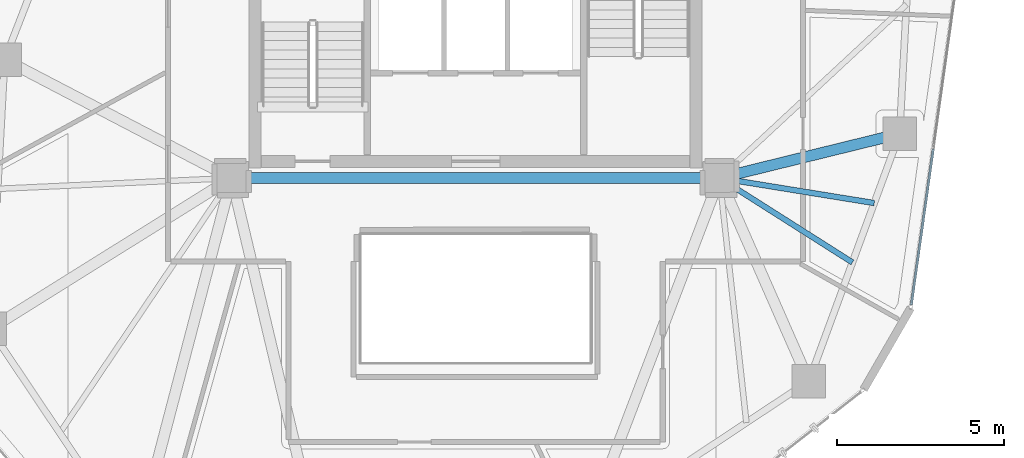
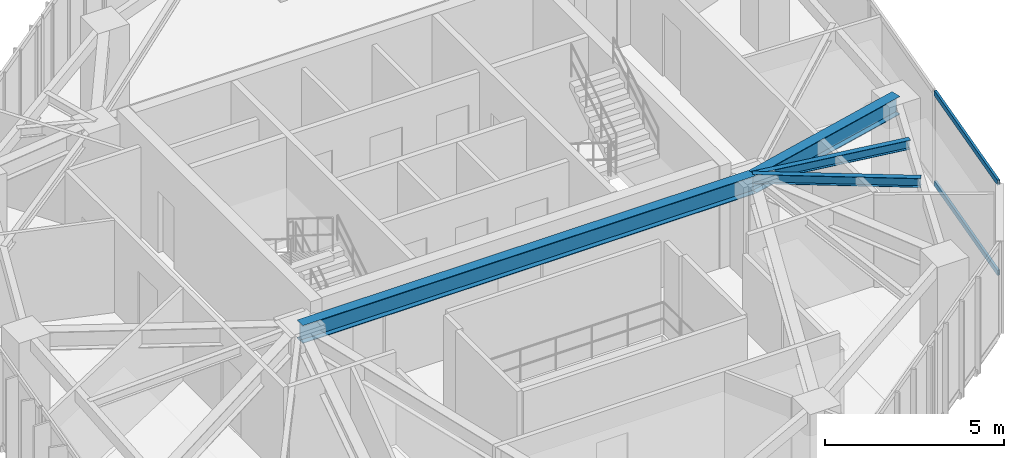
# One storey, part 10 of 21: 4 beams, 2 members, 1 element without a shape of its own.
"""IFC4 building model written with IfcOpenShell, lengths in metres."""

from ifc_helpers import new_model, si_unit, direction, frame, origin, origin_2d, place, context, subcontext, project, spatial, hollow_rectangle, i_section, extrude, source, transform, mapped, material, layer, layer_set, material_profile, profile_set, type_object, type_shapes, element, aggregate, save


model = new_model("IFC4")

# Units and contexts
model_context = context("Model", 3, precision=1e-05, world=origin(), true_north=direction((0.0, 1.0)))
body_context = subcontext(model_context, "Body", "Model", "MODEL_VIEW")
ifc_project = project(units=[si_unit("LENGTHUNIT", "METRE"), si_unit("AREAUNIT", "SQUARE_METRE"), si_unit("VOLUMEUNIT", "CUBIC_METRE"), si_unit("PLANEANGLEUNIT", "RADIAN"), si_unit("MASSUNIT", "GRAM", prefix="KILO")], contexts=[model_context])

# Site, building, storey
site_placement = place(None, origin())
site = spatial("IfcSite", under=ifc_project, at=site_placement, CompositionType="ELEMENT")
building_placement = place(site_placement, origin())
building = spatial("IfcBuilding", under=site, at=building_placement, Name="Talar Marvaseh", CompositionType="ELEMENT")
storey_placement = place(building_placement, frame((0.0, 0.0, 232.699951171875)))
storey = spatial("IfcBuildingStorey", under=building, at=storey_placement, Name="L61", CompositionType="ELEMENT", Elevation=232.699951171875)

# Beams
ifc_material_1 = material(Name="Steel S355", Category="steel")
ifc_material_profile_1 = material_profile(ifc_material_1, i_section(OverallWidth=0.324951171875, OverallDepth=0.615966796875, WebThickness=0.013916015625, FlangeThickness=0.021484375, at=origin_2d()), Name="W610x174")
ifc_profile_set_1 = profile_set([ifc_material_profile_1], Name="Steel S355")
beam_type_1 = type_object("IfcBeamType", Name="Zone 3 Radial Floor Girder W610x174", PredefinedType="BEAM", material=ifc_profile_set_1)
beam_1_placement = place(storey_placement, frame((18.699951171875, 25.5, 2.842041015625), z_axis=(1.0, 0.0, 0.0), x_axis=(0.0, 1.0, 0.0)))
element("IfcBeam", 1, at=beam_1_placement, inside=storey, type_object=beam_type_1, Name="L61 Zone 3 Radial Floor Girder W610x174", PredefinedType="BEAM", context=body_context, shape_type="SweptSolid", body=[
    extrude(i_section(OverallWidth=0.324951171875, OverallDepth=0.615966796875, WebThickness=0.013916015625, FlangeThickness=0.021484375, at=origin_2d()), origin(), (0.0, 0.0, 1.0), 14.60009765625),
])
beam_2_placement = place(storey_placement, frame((38.68896484375, 26.823974609375, 2.842041015625), z_axis=(-0.971120507527, -0.238589521692, 0.0), x_axis=(0.238589521692, -0.971120507527, 0.0)))
element("IfcBeam", 2, at=beam_2_placement, inside=storey, type_object=beam_type_1, Name="L61 Zone 3 Radial Floor Girder W610x174", PredefinedType="BEAM", context=body_context, shape_type="SweptSolid", body=[
    extrude(i_section(OverallWidth=0.324951171875, OverallDepth=0.615966796875, WebThickness=0.013916015625, FlangeThickness=0.021484375, at=origin_2d()), origin(), (0.0, 0.0, 1.0), 5.549072265625),
])
ifc_material_profile_2 = material_profile(ifc_material_1, i_section(OverallWidth=0.166015625, OverallDepth=0.31298828125, WebThickness=0.006591796875, FlangeThickness=0.01123046875, at=origin_2d()), Name="W310x45")
ifc_profile_set_2 = profile_set([ifc_material_profile_2], Name="Steel S355")
beam_type_2 = type_object("IfcBeamType", Name="Zone 3 Secondary Floor Joist W310x45", PredefinedType="JOIST", material=ifc_profile_set_2)
beam_3_placement = place(storey_placement, frame((37.927978515625, 24.751708984375, 2.99365234375), z_axis=(-0.987178985963, 0.159617197298, 0.0), x_axis=(-0.159617197298, -0.987178985963, 0.0)))
element("IfcBeam", 3, at=beam_3_placement, inside=storey, type_object=beam_type_2, Name="L61 Zone 3 Secondary Floor Joist W310x45", PredefinedType="JOIST", context=body_context, shape_type="SweptSolid", body=[
    extrude(i_section(OverallWidth=0.166015625, OverallDepth=0.31298828125, WebThickness=0.006591796875, FlangeThickness=0.01123046875, at=origin_2d()), origin(), (0.0, 0.0, 1.0), 4.68798828125),
])
beam_4_placement = place(storey_placement, frame((37.275634765625, 22.9755859375, 2.99365234375), z_axis=(-0.844190472961, 0.536043324147, 0.0), x_axis=(-0.536043324147, -0.844190472961, 0.0)))
element("IfcBeam", 4, at=beam_4_placement, inside=storey, type_object=beam_type_2, Name="L61 Zone 3 Secondary Floor Joist W310x45", PredefinedType="JOIST", context=body_context, shape_type="SweptSolid", body=[
    extrude(i_section(OverallWidth=0.166015625, OverallDepth=0.31298828125, WebThickness=0.006591796875, FlangeThickness=0.01123046875, at=origin_2d()), origin(), (0.0, 0.0, 1.0), 4.709228515625),
])

# Curtain wall, members
ifc_material_2 = material(Name="Architectural Aluminium", Category="aluminium")
ifc_layer = layer(ifc_material_2, 0.18994140625)
ifc_layer_set = layer_set([ifc_layer], Name="Architectural Aluminium")
curtain_wall_type = type_object("IfcCurtainWallType", Name="Unitised Solar Atelier Curtain Wall Z3", PredefinedType="NOTDEFINED", material=ifc_layer_set)
curtain_wall_placement = place(storey_placement, origin())
curtain_wall = element("IfcCurtainWall", 5, at=curtain_wall_placement, inside=storey, type_object=curtain_wall_type, Name="L61 Unitised Solar Atelier Curtain Wall Z3", PredefinedType="NOTDEFINED")
ifc_material_profile_3 = material_profile(ifc_material_2, hollow_rectangle(XDim=0.074951171875, YDim=0.179931640625, WallThickness=0.0048828125, at=origin_2d()), Name="RHS180x75x5")
ifc_profile_set_3 = profile_set([ifc_material_profile_3], Name="Architectural Aluminium")
member_type = type_object("IfcMemberType", Name="Unitised Curtain Wall Transom RHS180x75x5", PredefinedType="USERDEFINED", material=ifc_profile_set_3)
shared_shape = source(origin(), body_context, "Body", "SweptSolid", [
    extrude(hollow_rectangle(XDim=0.074951171875, YDim=0.179931640625, WallThickness=0.0048828125, at=origin_2d()), origin(), (0.0, 0.0, 1.0), 4.709716796875),
])
type_shapes(member_type, [shared_shape])
member_1_placement = place(storey_placement, frame((39.693115234375, 26.368408203125, 0.03759765625), z_axis=(-0.139338227019, -0.990244847748, 0.0), x_axis=(0.990244847748, -0.139338227019, 0.0)))
member_1 = element("IfcMember", 6, at=member_1_placement, type_object=member_type, Name="CW-Z3 transom 4.1", ObjectType="TRANSOM", PredefinedType="USERDEFINED", context=body_context, shape_type="MappedRepresentation", body=[
    mapped(shared_shape, transform((0.0, 0.0, 0.0), x_axis=(1.0, 0.0, 0.0), y_axis=(0.0, 1.0, 0.0), z_axis=(0.0, 0.0, 1.0), scale=1.0)),
])
member_2_placement = place(storey_placement, frame((39.693115234375, 26.368408203125, 3.112548828125), z_axis=(-0.139338227019, -0.990244847748, 0.0), x_axis=(0.990244847748, -0.139338227019, 0.0)))
member_2 = element("IfcMember", 7, at=member_2_placement, type_object=member_type, Name="CW-Z3 transom 4.2", ObjectType="TRANSOM", PredefinedType="USERDEFINED", context=body_context, shape_type="MappedRepresentation", body=[
    mapped(shared_shape, transform((0.0, 0.0, 0.0), x_axis=(1.0, 0.0, 0.0), y_axis=(0.0, 1.0, 0.0), z_axis=(0.0, 0.0, 1.0), scale=1.0)),
])
aggregate(curtain_wall, [member_1, member_2])

save(model, "model.ifc")
